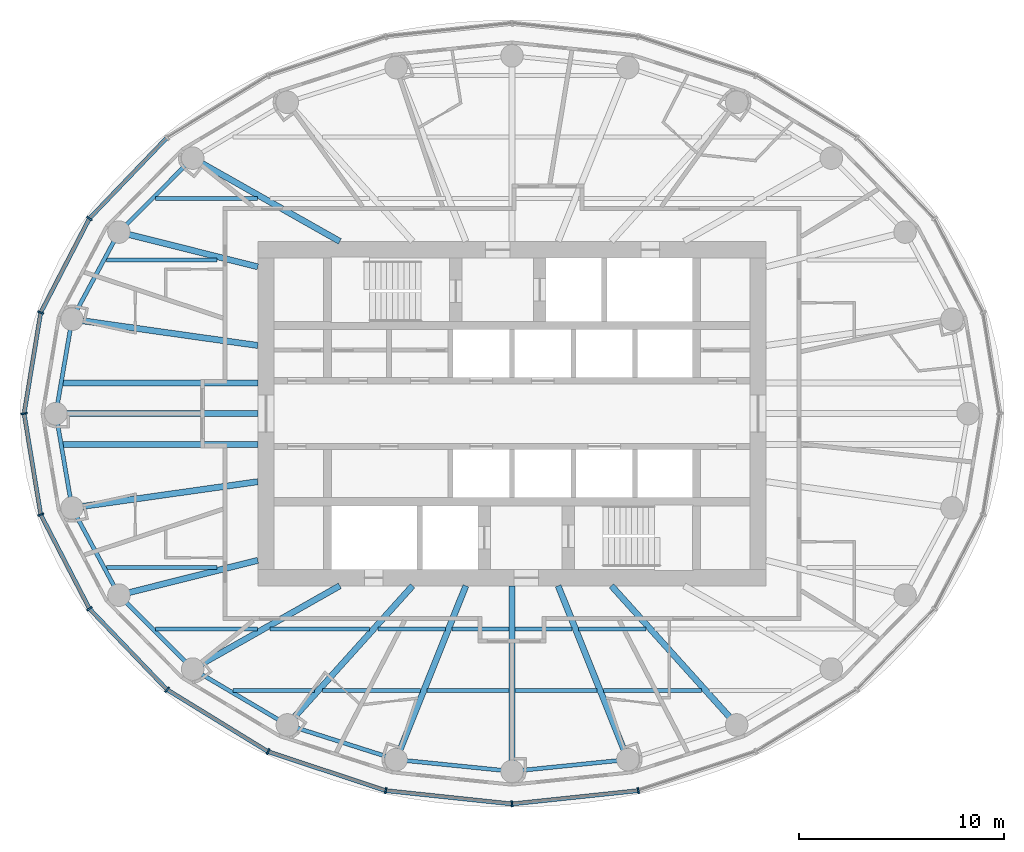
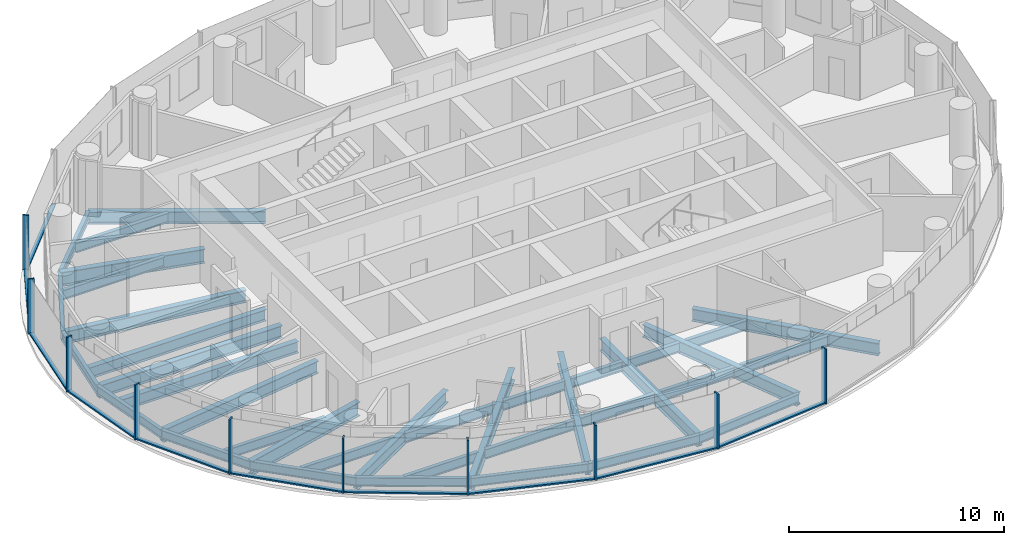
# One storey, part 2 of 13: 38 beams, 20 members, 3 elements without a shape of their own.
"""IFC4 building model written with IfcOpenShell, lengths in metres."""

from ifc_helpers import new_model, si_unit, direction, frame, origin, origin_2d, place, context, subcontext, project, spatial, rectangle, i_section, extrude, material, material_profile, profile_set, type_object, element, aggregate, save


model = new_model("IFC4")

# Units and contexts
model_context = context("Model", 3, precision=1e-05, world=origin(), true_north=direction((0.0, 1.0)))
body_context = subcontext(model_context, "Body", "Model", "MODEL_VIEW")
ifc_project = project(units=[si_unit("LENGTHUNIT", "METRE"), si_unit("AREAUNIT", "SQUARE_METRE"), si_unit("VOLUMEUNIT", "CUBIC_METRE"), si_unit("PLANEANGLEUNIT", "RADIAN"), si_unit("MASSUNIT", "GRAM", prefix="KILO")], contexts=[model_context])

# Site, building, storey
site_placement = place(None, origin())
site = spatial("IfcSite", under=ifc_project, at=site_placement, CompositionType="ELEMENT")
building_placement = place(site_placement, origin())
building = spatial("IfcBuilding", under=site, at=building_placement, Name="Hankou Lantern Tower", CompositionType="ELEMENT")
storey_placement = place(building_placement, frame((0.0, 0.0, 163.199951171875)))
storey = spatial("IfcBuildingStorey", under=building, at=storey_placement, Name="L43", CompositionType="ELEMENT", Elevation=163.199951171875)

# Beams
ifc_material_1 = material(Name="Steel Q355B", Category="steel")
ifc_material_profile_1 = material_profile(ifc_material_1, i_section(OverallWidth=0.199951171875, OverallDepth=0.5, WebThickness=0.010009765625, FlangeThickness=0.01611328125, FilletRadius=0.012939453125, at=origin_2d()), Name="HN500x200x10x16")
ifc_profile_set_1 = profile_set([ifc_material_profile_1], Name="Steel Q355B")
beam_type_1 = type_object("IfcBeamType", Name="EB5 RING BEAM HN500x200x10x16", PredefinedType="SPANDREL", material=ifc_profile_set_1)
beam_1_placement = place(storey_placement, frame((-15.576171875, 12.4609375, -0.429931640625), z_axis=(-0.706147278092, -0.708064984054, 0.0), x_axis=(0.708064984054, -0.706147278092, 0.0)))
element("IfcBeam", 1, at=beam_1_placement, inside=storey, type_object=beam_type_1, Name="Ring beam R10-R11 L43", PredefinedType="SPANDREL", context=body_context, shape_type="SweptSolid", body=[
    extrude(i_section(OverallWidth=0.199951171875, OverallDepth=0.5, WebThickness=0.010009765625, FlangeThickness=0.01611328125, FilletRadius=0.012939453125, at=origin_2d()), origin(), (0.0, 0.0, 1.0), 5.09228515625),
])
beam_2_placement = place(storey_placement, frame((-19.172119140625, 8.855224609375, -0.429931640625), z_axis=(-0.474051612334, -0.880497057828, 0.0), x_axis=(0.880497057828, -0.474051612334, 0.0)))
element("IfcBeam", 2, at=beam_2_placement, inside=storey, type_object=beam_type_1, Name="Ring beam R11-R12 L43", PredefinedType="SPANDREL", context=body_context, shape_type="SweptSolid", body=[
    extrude(i_section(OverallWidth=0.199951171875, OverallDepth=0.5, WebThickness=0.010009765625, FlangeThickness=0.01611328125, FilletRadius=0.012939453125, at=origin_2d()), origin(), (0.0, 0.0, 1.0), 4.831787109375),
])
for number, where, z_axis, x_axis, name in (
    (3, (-21.462646484375, 4.600830078125, -0.429931640625), (-0.168680718946, -0.985670743735, 0.0), (0.985670743735, -0.168680718946, 0.0), "Ring beam R12-R13 L43"),
    (4, (-22.25, 0.0, -0.429931640625), (0.168680718946, -0.985670743735, 0.0), (0.985670743735, 0.168680718946, 0.0), "Ring beam R13-R14 L43"),
):
    element("IfcBeam", number, at=place(storey_placement, frame(where, z_axis=z_axis, x_axis=x_axis)), inside=storey, type_object=beam_type_1, Name=name, PredefinedType="SPANDREL", context=body_context, shape_type="SweptSolid", body=[
        extrude(i_section(OverallWidth=0.199951171875, OverallDepth=0.5, WebThickness=0.010009765625, FlangeThickness=0.01611328125, FilletRadius=0.012939453125, at=origin_2d()), origin(), (0.0, 0.0, 1.0), 4.667724609375),
    ])
beam_3_placement = place(storey_placement, frame((-21.462646484375, -4.600830078125, -0.429931640625), z_axis=(0.474051612334, -0.880497057828, 0.0), x_axis=(0.880497057828, 0.474051612334, 0.0)))
element("IfcBeam", 5, at=beam_3_placement, inside=storey, type_object=beam_type_1, Name="Ring beam R14-R15 L43", PredefinedType="SPANDREL", context=body_context, shape_type="SweptSolid", body=[
    extrude(i_section(OverallWidth=0.199951171875, OverallDepth=0.5, WebThickness=0.010009765625, FlangeThickness=0.01611328125, FilletRadius=0.012939453125, at=origin_2d()), origin(), (0.0, 0.0, 1.0), 4.831787109375),
])
beam_4_placement = place(storey_placement, frame((-19.172119140625, -8.855224609375, -0.429931640625), z_axis=(0.706147278092, -0.708064984054, 0.0), x_axis=(0.708064984054, 0.706147278092, 0.0)))
element("IfcBeam", 6, at=beam_4_placement, inside=storey, type_object=beam_type_1, Name="Ring beam R15-R16 L43", PredefinedType="SPANDREL", context=body_context, shape_type="SweptSolid", body=[
    extrude(i_section(OverallWidth=0.199951171875, OverallDepth=0.5, WebThickness=0.010009765625, FlangeThickness=0.01611328125, FilletRadius=0.012939453125, at=origin_2d()), origin(), (0.0, 0.0, 1.0), 5.09228515625),
])
beam_5_placement = place(storey_placement, frame((-15.576171875, -12.4609375, -0.429931640625), z_axis=(0.861135888339, -0.508374843806, 0.0), x_axis=(0.508374843806, 0.861135888339, 0.0)))
element("IfcBeam", 7, at=beam_5_placement, inside=storey, type_object=beam_type_1, Name="Ring beam R16-R17 L43", PredefinedType="SPANDREL", context=body_context, shape_type="SweptSolid", body=[
    extrude(i_section(OverallWidth=0.199951171875, OverallDepth=0.5, WebThickness=0.010009765625, FlangeThickness=0.01611328125, FilletRadius=0.012939453125, at=origin_2d()), origin(), (0.0, 0.0, 1.0), 5.36083984375),
])
beam_6_placement = place(storey_placement, frame((-10.959716796875, -15.186279296875, -0.429931640625), z_axis=(0.952790404271, -0.30362879562, 0.0), x_axis=(0.30362879562, 0.952790404271, 0.0)))
element("IfcBeam", 8, at=beam_6_placement, inside=storey, type_object=beam_type_1, Name="Ring beam R17-R18 L43", PredefinedType="SPANDREL", context=body_context, shape_type="SweptSolid", body=[
    extrude(i_section(OverallWidth=0.199951171875, OverallDepth=0.5, WebThickness=0.010009765625, FlangeThickness=0.01611328125, FilletRadius=0.012939453125, at=origin_2d()), origin(), (0.0, 0.0, 1.0), 5.56982421875),
])
for number, where, z_axis, x_axis, name in (
    (9, (-5.65283203125, -16.87744140625, -0.429931640625), (0.9949104636, -0.100762936734, 0.0), (0.100762936734, 0.9949104636, 0.0), "Ring beam R18-R19 L43"),
    (10, (0.0, -17.449951171875, -0.429931640625), (0.9949104636, 0.100762936734, 0.0), (-0.100762936734, 0.9949104636, 0.0), "Ring beam R19-R20 L43"),
):
    element("IfcBeam", number, at=place(storey_placement, frame(where, z_axis=z_axis, x_axis=x_axis)), inside=storey, type_object=beam_type_1, Name=name, PredefinedType="SPANDREL", context=body_context, shape_type="SweptSolid", body=[
        extrude(i_section(OverallWidth=0.199951171875, OverallDepth=0.5, WebThickness=0.010009765625, FlangeThickness=0.01611328125, FilletRadius=0.012939453125, at=origin_2d()), origin(), (0.0, 0.0, 1.0), 5.681640625),
    ])

# Curtain wall, members
ifc_material_2 = material(Name="Glass, dark grey tinted laminated", Category="glass")
curtain_wall_type = type_object("IfcCurtainWallType", Name="CWC OUTER SKIN HIGH-RISE", PredefinedType="USERDEFINED", material=ifc_material_2)
curtain_wall_1_placement = place(storey_placement, origin())
curtain_wall_1 = element("IfcCurtainWall", 11, at=curtain_wall_1_placement, inside=storey, type_object=curtain_wall_type, Name="CWC L43 OS2", ObjectType="OUTER SKIN HIGH-RISE", PredefinedType="USERDEFINED")
ifc_material_3 = material(Name="Aluminium, black anodised", Category="aluminium")
ifc_material_profile_2 = material_profile(ifc_material_3, rectangle(XDim=0.080078125, YDim=0.300048828125, at=origin_2d()), Name="MU1 80X300")
ifc_profile_set_2 = profile_set([ifc_material_profile_2], Name="Aluminium, black anodised")
member_type_1 = type_object("IfcMemberType", Name="MU1 OUTER SKIN MULLION 80X300", PredefinedType="MULLION", material=ifc_profile_set_2)
member_1_placement = place(storey_placement, frame((-20.611328125, 9.52001953125, 0.0), z_axis=(0.0, 0.0, 1.0), x_axis=(-0.585205735974, -0.810884854084, 0.0)))
member_1 = element("IfcMember", 12, at=member_1_placement, type_object=member_type_1, Name="CWC mullion 5", PredefinedType="MULLION", context=body_context, shape_type="SweptSolid", body=[
    extrude(rectangle(XDim=0.080078125, YDim=0.300048828125, at=origin_2d()), origin(), (0.0, 0.0, 1.0), 3.1201171875),
])
member_2_placement = place(storey_placement, frame((-22.989013671875, 4.927978515625, 0.0), z_axis=(0.0, 0.0, 1.0), x_axis=(-0.317595577365, -0.94822626479, 0.0)))
member_2 = element("IfcMember", 13, at=member_2_placement, type_object=member_type_1, Name="CWC mullion 6", PredefinedType="MULLION", context=body_context, shape_type="SweptSolid", body=[
    extrude(rectangle(XDim=0.080078125, YDim=0.300048828125, at=origin_2d()), origin(), (0.0, 0.0, 1.0), 3.1201171875),
])

curtain_wall_2_placement = place(storey_placement, origin())
curtain_wall_2 = element("IfcCurtainWall", 14, at=curtain_wall_2_placement, inside=storey, type_object=curtain_wall_type, Name="CWC L43 OS3", ObjectType="OUTER SKIN HIGH-RISE", PredefinedType="USERDEFINED")
member_3_placement = place(storey_placement, frame((-23.800048828125, 0.0, 0.0), z_axis=(0.0, 0.0, 1.0), x_axis=(0.162381515188, -0.986728049427, 0.0)))
member_3 = element("IfcMember", 15, at=member_3_placement, type_object=member_type_1, Name="CWC mullion 1", PredefinedType="MULLION", context=body_context, shape_type="SweptSolid", body=[
    extrude(rectangle(XDim=0.080078125, YDim=0.300048828125, at=origin_2d()), origin(), (0.0, 0.0, 1.0), 3.1201171875),
])
member_4_placement = place(storey_placement, frame((-22.989013671875, -4.927978515625, 0.0), z_axis=(0.0, 0.0, 1.0), x_axis=(0.317595577365, -0.94822626479, 0.0)))
member_4 = element("IfcMember", 16, at=member_4_placement, type_object=member_type_1, Name="CWC mullion 2", PredefinedType="MULLION", context=body_context, shape_type="SweptSolid", body=[
    extrude(rectangle(XDim=0.080078125, YDim=0.300048828125, at=origin_2d()), origin(), (0.0, 0.0, 1.0), 3.1201171875),
])
member_5_placement = place(storey_placement, frame((-20.611328125, -9.52001953125, 0.0), z_axis=(0.0, 0.0, 1.0), x_axis=(0.585205735974, -0.810884854084, 0.0)))
member_5 = element("IfcMember", 17, at=member_5_placement, type_object=member_type_1, Name="CWC mullion 3", PredefinedType="MULLION", context=body_context, shape_type="SweptSolid", body=[
    extrude(rectangle(XDim=0.080078125, YDim=0.300048828125, at=origin_2d()), origin(), (0.0, 0.0, 1.0), 3.1201171875),
])
member_6_placement = place(storey_placement, frame((-16.8291015625, -13.46337890625, 0.0), z_axis=(0.0, 0.0, 1.0), x_axis=(0.780868809444, -0.624695047553, 0.0)))
member_6 = element("IfcMember", 18, at=member_6_placement, type_object=member_type_1, Name="CWC mullion 4", PredefinedType="MULLION", context=body_context, shape_type="SweptSolid", body=[
    extrude(rectangle(XDim=0.080078125, YDim=0.300048828125, at=origin_2d()), origin(), (0.0, 0.0, 1.0), 3.1201171875),
])
member_7_placement = place(storey_placement, frame((-11.89990234375, -16.489013671875, 0.0), z_axis=(0.0, 0.0, 1.0), x_axis=(0.907841299004, -0.419313934686, 0.0)))
member_7 = element("IfcMember", 19, at=member_7_placement, type_object=member_type_1, Name="CWC mullion 5", PredefinedType="MULLION", context=body_context, shape_type="SweptSolid", body=[
    extrude(rectangle(XDim=0.080078125, YDim=0.300048828125, at=origin_2d()), origin(), (0.0, 0.0, 1.0), 3.1201171875),
])
member_8_placement = place(storey_placement, frame((-6.159912109375, -18.39111328125, 0.0), z_axis=(0.0, 0.0, 1.0), x_axis=(0.977787659625, -0.209597931016, 0.0)))
member_8 = element("IfcMember", 20, at=member_8_placement, type_object=member_type_1, Name="CWC mullion 6", PredefinedType="MULLION", context=body_context, shape_type="SweptSolid", body=[
    extrude(rectangle(XDim=0.080078125, YDim=0.300048828125, at=origin_2d()), origin(), (0.0, 0.0, 1.0), 3.1201171875),
])

curtain_wall_3_placement = place(storey_placement, origin())
curtain_wall_3 = element("IfcCurtainWall", 21, at=curtain_wall_3_placement, inside=storey, type_object=curtain_wall_type, Name="CWC L43 OS4", ObjectType="OUTER SKIN HIGH-RISE", PredefinedType="USERDEFINED")
member_9_placement = place(storey_placement, frame((0.0, -19.0400390625, 0.0), z_axis=(0.0, 0.0, 1.0), x_axis=(0.994499359107, 0.104742659579, 0.0)))
member_9 = element("IfcMember", 22, at=member_9_placement, type_object=member_type_1, Name="CWC mullion 1", PredefinedType="MULLION", context=body_context, shape_type="SweptSolid", body=[
    extrude(rectangle(XDim=0.080078125, YDim=0.300048828125, at=origin_2d()), origin(), (0.0, 0.0, 1.0), 3.1201171875),
])
member_10_placement = place(storey_placement, frame((6.159912109375, -18.39111328125, 0.0), z_axis=(0.0, 0.0, 1.0), x_axis=(0.977787659625, 0.209597931016, 0.0)))
member_10 = element("IfcMember", 23, at=member_10_placement, type_object=member_type_1, Name="CWC mullion 2", PredefinedType="MULLION", context=body_context, shape_type="SweptSolid", body=[
    extrude(rectangle(XDim=0.080078125, YDim=0.300048828125, at=origin_2d()), origin(), (0.0, 0.0, 1.0), 3.1201171875),
])

# Beams
ifc_material_4 = material(Name="Steel Q355B", Category="steel")
ifc_material_profile_3 = material_profile(ifc_material_4, i_section(OverallWidth=0.300048828125, OverallDepth=0.800048828125, WebThickness=0.013916015625, FlangeThickness=0.02587890625, FilletRadius=0.01806640625, at=origin_2d()), Name="HN800x300x14x26")
ifc_profile_set_3 = profile_set([ifc_material_profile_3], Name="Steel Q355B")
beam_type_2 = type_object("IfcBeamType", Name="RB11 RADIAL BEAM HN800x300x14x26", PredefinedType="BEAM", material=ifc_profile_set_3)
for number, where, z_axis, x_axis, name in (
    (24, (-12.39990234375, 7.1591796875, -0.579833984375), (-0.970041619568, 0.242938791274, 0.0), (-0.242938791274, -0.970041619568, 0.0), "Radial beam R11 L43"),
    (25, (-12.39990234375, -7.1591796875, -0.579833984375), (-0.970041619568, -0.242938791274, 0.0), (0.242938791274, -0.970041619568, 0.0), "Radial beam R15 L43"),
):
    element("IfcBeam", number, at=place(storey_placement, frame(where, z_axis=z_axis, x_axis=x_axis)), inside=storey, type_object=beam_type_2, Name=name, PredefinedType="BEAM", context=body_context, shape_type="SweptSolid", body=[
        extrude(i_section(OverallWidth=0.300048828125, OverallDepth=0.800048828125, WebThickness=0.013916015625, FlangeThickness=0.02587890625, FilletRadius=0.01806640625, at=origin_2d()), origin(), (0.0, 0.0, 1.0), 6.9814453125),
    ])
ifc_material_5 = material(Name="Steel Q355B", Category="steel")
ifc_material_profile_4 = material_profile(ifc_material_5, i_section(OverallWidth=0.300048828125, OverallDepth=0.699951171875, WebThickness=0.012939453125, FlangeThickness=0.02392578125, FilletRadius=0.01806640625, at=origin_2d()), Name="HN700x300x13x24")
ifc_profile_set_4 = profile_set([ifc_material_profile_4], Name="Steel Q355B")
beam_type_3 = type_object("IfcBeamType", Name="RB9 RADIAL BEAM HN700x300x13x24", PredefinedType="BEAM", material=ifc_profile_set_4)
beam_7_placement = place(storey_placement, frame((-8.39990234375, 8.39990234375, -0.530029296875), z_axis=(-0.870309058024, 0.492505983234, 0.0), x_axis=(-0.492505983234, -0.870309058024, 0.0)))
element("IfcBeam", 26, at=beam_7_placement, inside=storey, type_object=beam_type_3, Name="Radial beam R10 L43", PredefinedType="BEAM", context=body_context, shape_type="SweptSolid", body=[
    extrude(i_section(OverallWidth=0.300048828125, OverallDepth=0.699951171875, WebThickness=0.012939453125, FlangeThickness=0.02392578125, FilletRadius=0.01806640625, at=origin_2d()), origin(), (0.0, 0.0, 1.0), 8.24560546875),
])
beam_8_placement = place(storey_placement, frame((-12.39990234375, 3.322509765625, -0.530029296875), z_axis=(-0.990198154617, 0.13966966239, 0.0), x_axis=(-0.13966966239, -0.990198154617, 0.0)))
element("IfcBeam", 27, at=beam_8_placement, inside=storey, type_object=beam_type_3, Name="Radial beam R12 L43", PredefinedType="BEAM", context=body_context, shape_type="SweptSolid", body=[
    extrude(i_section(OverallWidth=0.300048828125, OverallDepth=0.699951171875, WebThickness=0.012939453125, FlangeThickness=0.02392578125, FilletRadius=0.01806640625, at=origin_2d()), origin(), (0.0, 0.0, 1.0), 9.15234375),
])
beam_9_placement = place(storey_placement, frame((-12.39990234375, 0.0, -0.530029296875), z_axis=(-1.0, 0.0, 0.0), x_axis=(0.0, -1.0, 0.0)))
element("IfcBeam", 28, at=beam_9_placement, inside=storey, type_object=beam_type_3, Name="Radial beam R13 L43", PredefinedType="BEAM", context=body_context, shape_type="SweptSolid", body=[
    extrude(i_section(OverallWidth=0.300048828125, OverallDepth=0.699951171875, WebThickness=0.012939453125, FlangeThickness=0.02392578125, FilletRadius=0.01806640625, at=origin_2d()), origin(), (0.0, 0.0, 1.0), 9.85009765625),
])
beam_10_placement = place(storey_placement, frame((-12.39990234375, -3.322509765625, -0.530029296875), z_axis=(-0.990198154617, -0.13966966239, 0.0), x_axis=(0.13966966239, -0.990198154617, 0.0)))
element("IfcBeam", 29, at=beam_10_placement, inside=storey, type_object=beam_type_3, Name="Radial beam R14 L43", PredefinedType="BEAM", context=body_context, shape_type="SweptSolid", body=[
    extrude(i_section(OverallWidth=0.300048828125, OverallDepth=0.699951171875, WebThickness=0.012939453125, FlangeThickness=0.02392578125, FilletRadius=0.01806640625, at=origin_2d()), origin(), (0.0, 0.0, 1.0), 9.15234375),
])
beam_11_placement = place(storey_placement, frame((-8.39990234375, -8.39990234375, -0.530029296875), z_axis=(-0.870309058024, -0.492505983234, 0.0), x_axis=(0.492505983234, -0.870309058024, 0.0)))
element("IfcBeam", 30, at=beam_11_placement, inside=storey, type_object=beam_type_3, Name="Radial beam R16 L43", PredefinedType="BEAM", context=body_context, shape_type="SweptSolid", body=[
    extrude(i_section(OverallWidth=0.300048828125, OverallDepth=0.699951171875, WebThickness=0.012939453125, FlangeThickness=0.02392578125, FilletRadius=0.01806640625, at=origin_2d()), origin(), (0.0, 0.0, 1.0), 8.24560546875),
])
beam_12_placement = place(storey_placement, frame((-4.849853515625, -8.39990234375, -0.530029296875), z_axis=(-0.669093231314, -0.743178476418, 0.0), x_axis=(0.743178476418, -0.669093231314, 0.0)))
element("IfcBeam", 31, at=beam_12_placement, inside=storey, type_object=beam_type_3, Name="Radial beam R17 L43", PredefinedType="BEAM", context=body_context, shape_type="SweptSolid", body=[
    extrude(i_section(OverallWidth=0.300048828125, OverallDepth=0.699951171875, WebThickness=0.012939453125, FlangeThickness=0.02392578125, FilletRadius=0.01806640625, at=origin_2d()), origin(), (0.0, 0.0, 1.0), 9.131591796875),
])
beam_13_placement = place(storey_placement, frame((-2.250732421875, -8.39990234375, -0.530029296875), z_axis=(-0.372436468133, -0.928057690666, 0.0), x_axis=(0.928057690666, -0.372436468133, 0.0)))
element("IfcBeam", 32, at=beam_13_placement, inside=storey, type_object=beam_type_3, Name="Radial beam R18 L43", PredefinedType="BEAM", context=body_context, shape_type="SweptSolid", body=[
    extrude(i_section(OverallWidth=0.300048828125, OverallDepth=0.699951171875, WebThickness=0.012939453125, FlangeThickness=0.02392578125, FilletRadius=0.01806640625, at=origin_2d()), origin(), (0.0, 0.0, 1.0), 9.134765625),
])
beam_14_placement = place(storey_placement, frame((0.0, -8.39990234375, -0.530029296875), z_axis=(0.0, -1.0, 0.0), x_axis=(1.0, 0.0, 0.0)))
element("IfcBeam", 33, at=beam_14_placement, inside=storey, type_object=beam_type_3, Name="Radial beam R19 L43", PredefinedType="BEAM", context=body_context, shape_type="SweptSolid", body=[
    extrude(i_section(OverallWidth=0.300048828125, OverallDepth=0.699951171875, WebThickness=0.012939453125, FlangeThickness=0.02392578125, FilletRadius=0.01806640625, at=origin_2d()), origin(), (0.0, 0.0, 1.0), 9.050048828125),
])
beam_15_placement = place(storey_placement, frame((2.250732421875, -8.39990234375, -0.530029296875), z_axis=(0.372436468133, -0.928057690666, 0.0), x_axis=(0.928057690666, 0.372436468133, 0.0)))
element("IfcBeam", 34, at=beam_15_placement, inside=storey, type_object=beam_type_3, Name="Radial beam R20 L43", PredefinedType="BEAM", context=body_context, shape_type="SweptSolid", body=[
    extrude(i_section(OverallWidth=0.300048828125, OverallDepth=0.699951171875, WebThickness=0.012939453125, FlangeThickness=0.02392578125, FilletRadius=0.01806640625, at=origin_2d()), origin(), (0.0, 0.0, 1.0), 9.134765625),
])
beam_16_placement = place(storey_placement, frame((4.849853515625, -8.39990234375, -0.530029296875), z_axis=(0.669093231314, -0.743178476418, 0.0), x_axis=(0.743178476418, 0.669093231314, 0.0)))
element("IfcBeam", 35, at=beam_16_placement, inside=storey, type_object=beam_type_3, Name="Radial beam R21 L43", PredefinedType="BEAM", context=body_context, shape_type="SweptSolid", body=[
    extrude(i_section(OverallWidth=0.300048828125, OverallDepth=0.699951171875, WebThickness=0.012939453125, FlangeThickness=0.02392578125, FilletRadius=0.01806640625, at=origin_2d()), origin(), (0.0, 0.0, 1.0), 9.131591796875),
])
ifc_material_6 = material(Name="Steel Q355B", Category="steel")
ifc_material_profile_5 = material_profile(ifc_material_6, i_section(OverallWidth=0.199951171875, OverallDepth=0.550048828125, WebThickness=0.010009765625, FlangeThickness=0.01611328125, FilletRadius=0.012939453125, at=origin_2d()), Name="HN550x200x10x16")
ifc_profile_set_5 = profile_set([ifc_material_profile_5], Name="Steel Q355B")
beam_type_4 = type_object("IfcBeamType", Name="SB6 SECONDARY BEAM HN550x200x10x16", PredefinedType="JOIST", material=ifc_profile_set_5)
beam_17_placement = place(storey_placement, frame((-13.619384765625, -13.5, -0.454833984375), z_axis=(1.0, 0.0, 0.0), x_axis=(0.0, 1.0, 0.0)))
element("IfcBeam", 36, at=beam_17_placement, inside=storey, type_object=beam_type_4, Name="Floor joist J001 L43", PredefinedType="JOIST", context=body_context, shape_type="SweptSolid", body=[
    extrude(i_section(OverallWidth=0.199951171875, OverallDepth=0.550048828125, WebThickness=0.010009765625, FlangeThickness=0.01611328125, FilletRadius=0.012939453125, at=origin_2d()), origin(), (0.0, 0.0, 1.0), 3.97607421875),
])
beam_18_placement = place(storey_placement, frame((-9.23974609375, -13.5, -0.454833984375), z_axis=(1.0, 0.0, 0.0), x_axis=(0.0, 1.0, 0.0)))
element("IfcBeam", 37, at=beam_18_placement, inside=storey, type_object=beam_type_4, Name="Floor joist J002 L43", PredefinedType="JOIST", context=body_context, shape_type="SweptSolid", body=[
    extrude(i_section(OverallWidth=0.199951171875, OverallDepth=0.550048828125, WebThickness=0.010009765625, FlangeThickness=0.01611328125, FilletRadius=0.012939453125, at=origin_2d()), origin(), (0.0, 0.0, 1.0), 4.780517578125),
])
for number, where, z_axis, x_axis, name in (
    (38, (-4.135986328125, -13.5, -0.454833984375), (1.0, 0.0, 0.0), (0.0, 1.0, 0.0), "Floor joist J003 L43"),
    (39, (0.14990234375, -13.5, -0.454833984375), (1.0, 0.0, 0.0), (0.0, 1.0, 0.0), "Floor joist J004 L43"),
):
    element("IfcBeam", number, at=place(storey_placement, frame(where, z_axis=z_axis, x_axis=x_axis)), inside=storey, type_object=beam_type_4, Name=name, PredefinedType="JOIST", context=body_context, shape_type="SweptSolid", body=[
        extrude(i_section(OverallWidth=0.199951171875, OverallDepth=0.550048828125, WebThickness=0.010009765625, FlangeThickness=0.01611328125, FilletRadius=0.012939453125, at=origin_2d()), origin(), (0.0, 0.0, 1.0), 3.986083984375),
    ])
beam_19_placement = place(storey_placement, frame((4.459228515625, -13.5, -0.454833984375), z_axis=(1.0, 0.0, 0.0), x_axis=(0.0, 1.0, 0.0)))
element("IfcBeam", 40, at=beam_19_placement, inside=storey, type_object=beam_type_4, Name="Floor joist J005 L43", PredefinedType="JOIST", context=body_context, shape_type="SweptSolid", body=[
    extrude(i_section(OverallWidth=0.199951171875, OverallDepth=0.550048828125, WebThickness=0.010009765625, FlangeThickness=0.01611328125, FilletRadius=0.012939453125, at=origin_2d()), origin(), (0.0, 0.0, 1.0), 4.780517578125),
])
beam_20_placement = place(storey_placement, frame((-17.390625, -10.5, -0.454833984375), z_axis=(1.0, 0.0, 0.0), x_axis=(0.0, 1.0, 0.0)))
element("IfcBeam", 41, at=beam_20_placement, inside=storey, type_object=beam_type_4, Name="Floor joist J007 L43", PredefinedType="JOIST", context=body_context, shape_type="SweptSolid", body=[
    extrude(i_section(OverallWidth=0.199951171875, OverallDepth=0.550048828125, WebThickness=0.010009765625, FlangeThickness=0.01611328125, FilletRadius=0.012939453125, at=origin_2d()), origin(), (0.0, 0.0, 1.0), 4.97509765625),
])
beam_21_placement = place(storey_placement, frame((-11.806396484375, -10.5, -0.454833984375), z_axis=(1.0, 0.0, 0.0), x_axis=(0.0, 1.0, 0.0)))
element("IfcBeam", 42, at=beam_21_placement, inside=storey, type_object=beam_type_4, Name="Floor joist J008 L43", PredefinedType="JOIST", context=body_context, shape_type="SweptSolid", body=[
    extrude(i_section(OverallWidth=0.199951171875, OverallDepth=0.550048828125, WebThickness=0.010009765625, FlangeThickness=0.01611328125, FilletRadius=0.012939453125, at=origin_2d()), origin(), (0.0, 0.0, 1.0), 4.864013671875),
])
beam_22_placement = place(storey_placement, frame((-6.53857421875, -10.5, -0.454833984375), z_axis=(1.0, 0.0, 0.0), x_axis=(0.0, 1.0, 0.0)))
element("IfcBeam", 43, at=beam_22_placement, inside=storey, type_object=beam_type_4, Name="Floor joist J009 L43", PredefinedType="JOIST", context=body_context, shape_type="SweptSolid", body=[
    extrude(i_section(OverallWidth=0.199951171875, OverallDepth=0.550048828125, WebThickness=0.010009765625, FlangeThickness=0.01611328125, FilletRadius=0.012939453125, at=origin_2d()), origin(), (0.0, 0.0, 1.0), 3.283447265625),
])
for number, where, z_axis, x_axis, name in (
    (44, (-2.931884765625, -10.5, -0.454833984375), (1.0, 0.0, 0.0), (0.0, 1.0, 0.0), "Floor joist J010 L43"),
    (45, (0.14990234375, -10.5, -0.454833984375), (1.0, 0.0, 0.0), (0.0, 1.0, 0.0), "Floor joist J011 L43"),
):
    element("IfcBeam", number, at=place(storey_placement, frame(where, z_axis=z_axis, x_axis=x_axis)), inside=storey, type_object=beam_type_4, Name=name, PredefinedType="JOIST", context=body_context, shape_type="SweptSolid", body=[
        extrude(i_section(OverallWidth=0.199951171875, OverallDepth=0.550048828125, WebThickness=0.010009765625, FlangeThickness=0.01611328125, FilletRadius=0.012939453125, at=origin_2d()), origin(), (0.0, 0.0, 1.0), 2.781982421875),
    ])
beam_23_placement = place(storey_placement, frame((3.255126953125, -10.5, -0.454833984375), z_axis=(1.0, 0.0, 0.0), x_axis=(0.0, 1.0, 0.0)))
element("IfcBeam", 46, at=beam_23_placement, inside=storey, type_object=beam_type_4, Name="Floor joist J012 L43", PredefinedType="JOIST", context=body_context, shape_type="SweptSolid", body=[
    extrude(i_section(OverallWidth=0.199951171875, OverallDepth=0.550048828125, WebThickness=0.010009765625, FlangeThickness=0.01611328125, FilletRadius=0.012939453125, at=origin_2d()), origin(), (0.0, 0.0, 1.0), 3.283447265625),
])
for number, where, z_axis, x_axis, name in (
    (47, (-19.788330078125, -7.5, -0.454833984375), (1.0, 0.0, 0.0), (0.0, 1.0, 0.0), "Floor joist J015 L43"),
    (48, (-19.788330078125, 7.5, -0.454833984375), (1.0, 0.0, 0.0), (0.0, 1.0, 0.0), "Floor joist J025 L43"),
):
    element("IfcBeam", number, at=place(storey_placement, frame(where, z_axis=z_axis, x_axis=x_axis)), inside=storey, type_object=beam_type_4, Name=name, PredefinedType="JOIST", context=body_context, shape_type="SweptSolid", body=[
        extrude(i_section(OverallWidth=0.199951171875, OverallDepth=0.550048828125, WebThickness=0.010009765625, FlangeThickness=0.01611328125, FilletRadius=0.012939453125, at=origin_2d()), origin(), (0.0, 0.0, 1.0), 5.409912109375),
    ])
beam_24_placement = place(storey_placement, frame((-17.390625, 10.5, -0.454833984375), z_axis=(1.0, 0.0, 0.0), x_axis=(0.0, 1.0, 0.0)))
element("IfcBeam", 49, at=beam_24_placement, inside=storey, type_object=beam_type_4, Name="Floor joist J027 L43", PredefinedType="JOIST", context=body_context, shape_type="SweptSolid", body=[
    extrude(i_section(OverallWidth=0.199951171875, OverallDepth=0.550048828125, WebThickness=0.010009765625, FlangeThickness=0.01611328125, FilletRadius=0.012939453125, at=origin_2d()), origin(), (0.0, 0.0, 1.0), 4.97509765625),
])
ifc_material_7 = material(Name="Steel Q355B", Category="steel")
ifc_material_profile_6 = material_profile(ifc_material_7, i_section(OverallWidth=0.300048828125, OverallDepth=0.64990234375, WebThickness=0.010986328125, FlangeThickness=0.01708984375, FilletRadius=0.01806640625, at=origin_2d()), Name="HN650x300x11x17")
ifc_profile_set_6 = profile_set([ifc_material_profile_6], Name="Steel Q355B")
beam_type_5 = type_object("IfcBeamType", Name="SB8 SECONDARY BEAM HN650x300x11x17", PredefinedType="JOIST", material=ifc_profile_set_6)
for number, where, z_axis, x_axis, name in (
    (50, (-21.891845703125, -1.5, -0.5048828125), (1.0, 0.0, 0.0), (0.0, 1.0, 0.0), "Floor joist J019 L43"),
    (51, (-21.891845703125, 1.5, -0.5048828125), (1.0, 0.0, 0.0), (0.0, 1.0, 0.0), "Floor joist J021 L43"),
):
    element("IfcBeam", number, at=place(storey_placement, frame(where, z_axis=z_axis, x_axis=x_axis)), inside=storey, type_object=beam_type_5, Name=name, PredefinedType="JOIST", context=body_context, shape_type="SweptSolid", body=[
        extrude(i_section(OverallWidth=0.300048828125, OverallDepth=0.64990234375, WebThickness=0.010986328125, FlangeThickness=0.01708984375, FilletRadius=0.01806640625, at=origin_2d()), origin(), (0.0, 0.0, 1.0), 9.491943359375),
    ])

# Member
ifc_material_8 = material(Name="Aluminium, black anodised", Category="aluminium")
ifc_material_profile_7 = material_profile(ifc_material_8, rectangle(XDim=0.199951171875, YDim=0.080078125, at=origin_2d()), Name="TR1 200X80")
ifc_profile_set_7 = profile_set([ifc_material_profile_7], Name="Aluminium, black anodised")
member_type_2 = type_object("IfcMemberType", Name="TR1 OUTER SKIN TRANSOM 200X80", PredefinedType="USERDEFINED", material=ifc_profile_set_7)
member_11_placement = place(storey_placement, frame((-16.85693359375, 13.434326171875, 0.0400390625), z_axis=(-0.692215543831, -0.721690820836, 0.0), x_axis=(0.721690820836, -0.692215543831, 0.0)))
member_11 = element("IfcMember", 52, at=member_11_placement, type_object=member_type_2, Name="CWC transom 4", ObjectType="TRANSOM", PredefinedType="USERDEFINED", context=body_context, shape_type="SweptSolid", body=[
    extrude(rectangle(XDim=0.199951171875, YDim=0.080078125, at=origin_2d()), origin(), (0.0, 0.0, 1.0), 5.3837890625),
])

member_12_placement = place(storey_placement, frame((-20.6298828125, 9.484375, 0.0400390625), z_axis=(-0.459790772977, -0.888027277219, 0.0), x_axis=(0.888027277219, -0.459790772977, 0.0)))
member_12 = element("IfcMember", 53, at=member_12_placement, type_object=member_type_2, Name="CWC transom 5", ObjectType="TRANSOM", PredefinedType="USERDEFINED", context=body_context, shape_type="SweptSolid", body=[
    extrude(rectangle(XDim=0.199951171875, YDim=0.080078125, at=origin_2d()), origin(), (0.0, 0.0, 1.0), 5.091064453125),
])

member_13_placement = place(storey_placement, frame((-22.99560546875, 4.888427734375, 0.0400390625), z_axis=(-0.162360337061, -0.986731534385, 0.0), x_axis=(0.986731534385, -0.162360337061, 0.0)))
member_13 = element("IfcMember", 54, at=member_13_placement, type_object=member_type_2, Name="CWC transom 6", ObjectType="TRANSOM", PredefinedType="USERDEFINED", context=body_context, shape_type="SweptSolid", body=[
    extrude(rectangle(XDim=0.199951171875, YDim=0.080078125, at=origin_2d()), origin(), (0.0, 0.0, 1.0), 4.9140625),
])

aggregate(curtain_wall_1, [member_1, member_2, member_11, member_12, member_13])

member_14_placement = place(storey_placement, frame((-23.79345703125, -0.03955078125, 0.0400390625), z_axis=(0.162360337061, -0.986731534385, 0.0), x_axis=(0.986731534385, 0.162360337061, 0.0)))
member_14 = element("IfcMember", 55, at=member_14_placement, type_object=member_type_2, Name="CWC transom 1", ObjectType="TRANSOM", PredefinedType="USERDEFINED", context=body_context, shape_type="SweptSolid", body=[
    extrude(rectangle(XDim=0.199951171875, YDim=0.080078125, at=origin_2d()), origin(), (0.0, 0.0, 1.0), 4.9140625),
])

member_15_placement = place(storey_placement, frame((-22.970703125, -4.96337890625, 0.0400390625), z_axis=(0.459790772977, -0.888027277219, 0.0), x_axis=(0.888027277219, 0.459790772977, 0.0)))
member_15 = element("IfcMember", 56, at=member_15_placement, type_object=member_type_2, Name="CWC transom 2", ObjectType="TRANSOM", PredefinedType="USERDEFINED", context=body_context, shape_type="SweptSolid", body=[
    extrude(rectangle(XDim=0.199951171875, YDim=0.080078125, at=origin_2d()), origin(), (0.0, 0.0, 1.0), 5.091064453125),
])

member_16_placement = place(storey_placement, frame((-20.583740234375, -9.548828125, 0.0400390625), z_axis=(0.692215543831, -0.721690820836, 0.0), x_axis=(0.721690820836, 0.692215543831, 0.0)))
member_16 = element("IfcMember", 57, at=member_16_placement, type_object=member_type_2, Name="CWC transom 3", ObjectType="TRANSOM", PredefinedType="USERDEFINED", context=body_context, shape_type="SweptSolid", body=[
    extrude(rectangle(XDim=0.199951171875, YDim=0.080078125, at=origin_2d()), origin(), (0.0, 0.0, 1.0), 5.3837890625),
])

member_17_placement = place(storey_placement, frame((-16.795166015625, -13.484130859375, 0.0400390625), z_axis=(0.852229482357, -0.523168146394, 0.0), x_axis=(0.523168146394, 0.852229482357, 0.0)))
member_17 = element("IfcMember", 58, at=member_17_placement, type_object=member_type_2, Name="CWC transom 4", ObjectType="TRANSOM", PredefinedType="USERDEFINED", context=body_context, shape_type="SweptSolid", body=[
    extrude(rectangle(XDim=0.199951171875, YDim=0.080078125, at=origin_2d()), origin(), (0.0, 0.0, 1.0), 5.703857421875),
])

member_18_placement = place(storey_placement, frame((-11.862060546875, -16.501708984375, 0.0400390625), z_axis=(0.949242327551, -0.314545709849, 0.0), x_axis=(0.314545709849, 0.949242327551, 0.0)))
member_18 = element("IfcMember", 59, at=member_18_placement, type_object=member_type_2, Name="CWC transom 5", ObjectType="TRANSOM", PredefinedType="USERDEFINED", context=body_context, shape_type="SweptSolid", body=[
    extrude(rectangle(XDim=0.199951171875, YDim=0.080078125, at=origin_2d()), origin(), (0.0, 0.0, 1.0), 5.96728515625),
])

member_19_placement = place(storey_placement, frame((-6.1201171875, -18.3955078125, 0.0400390625), z_axis=(0.994499543631, -0.104740907567, 0.0), x_axis=(0.104740907567, 0.994499543631, 0.0)))
member_19 = element("IfcMember", 60, at=member_19_placement, type_object=member_type_2, Name="CWC transom 6", ObjectType="TRANSOM", PredefinedType="USERDEFINED", context=body_context, shape_type="SweptSolid", body=[
    extrude(rectangle(XDim=0.199951171875, YDim=0.080078125, at=origin_2d()), origin(), (0.0, 0.0, 1.0), 6.114013671875),
])

aggregate(curtain_wall_2, [member_3, member_4, member_5, member_6, member_7, member_8, member_14, member_15, member_16, member_17, member_18, member_19])

member_20_placement = place(storey_placement, frame((0.039794921875, -19.035888671875, 0.0400390625), z_axis=(0.994499543631, 0.104740907567, 0.0), x_axis=(-0.104740907567, 0.994499543631, 0.0)))
member_20 = element("IfcMember", 61, at=member_20_placement, type_object=member_type_2, Name="CWC transom 1", ObjectType="TRANSOM", PredefinedType="USERDEFINED", context=body_context, shape_type="SweptSolid", body=[
    extrude(rectangle(XDim=0.199951171875, YDim=0.080078125, at=origin_2d()), origin(), (0.0, 0.0, 1.0), 6.114013671875),
])

aggregate(curtain_wall_3, [member_9, member_10, member_20])

save(model, "model.ifc")
